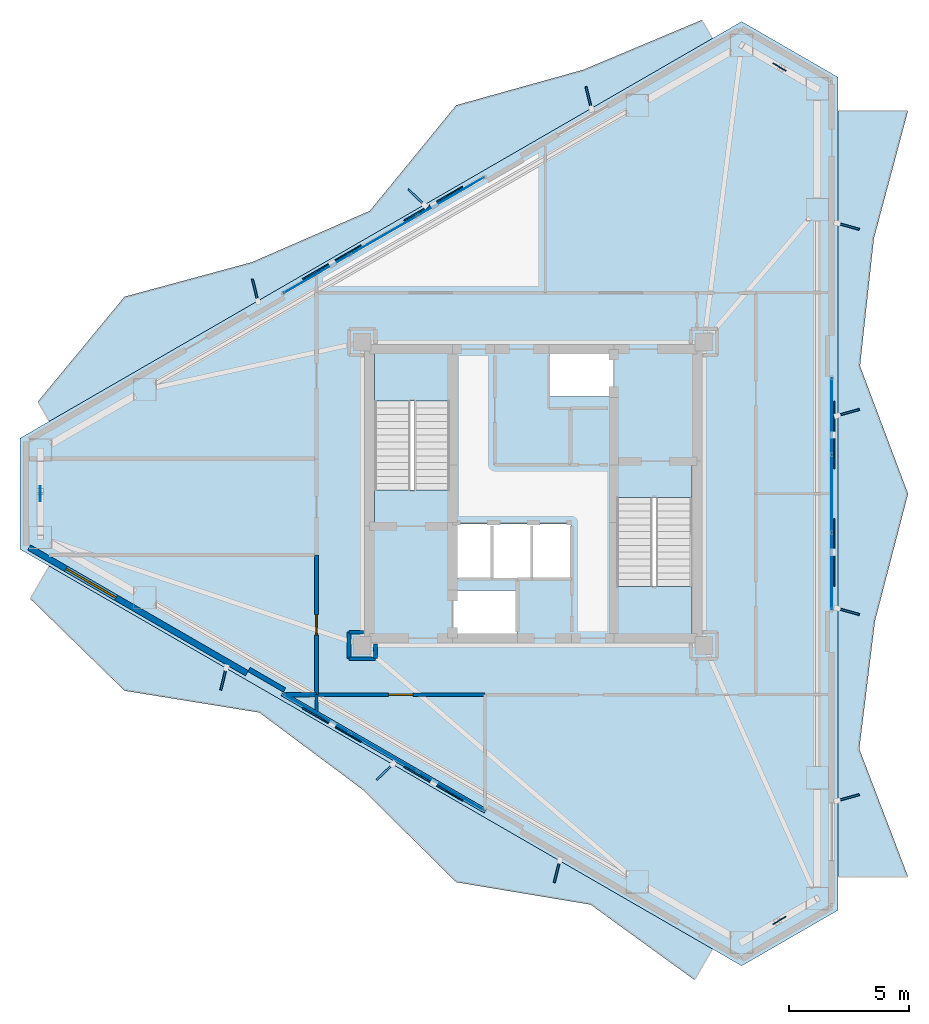
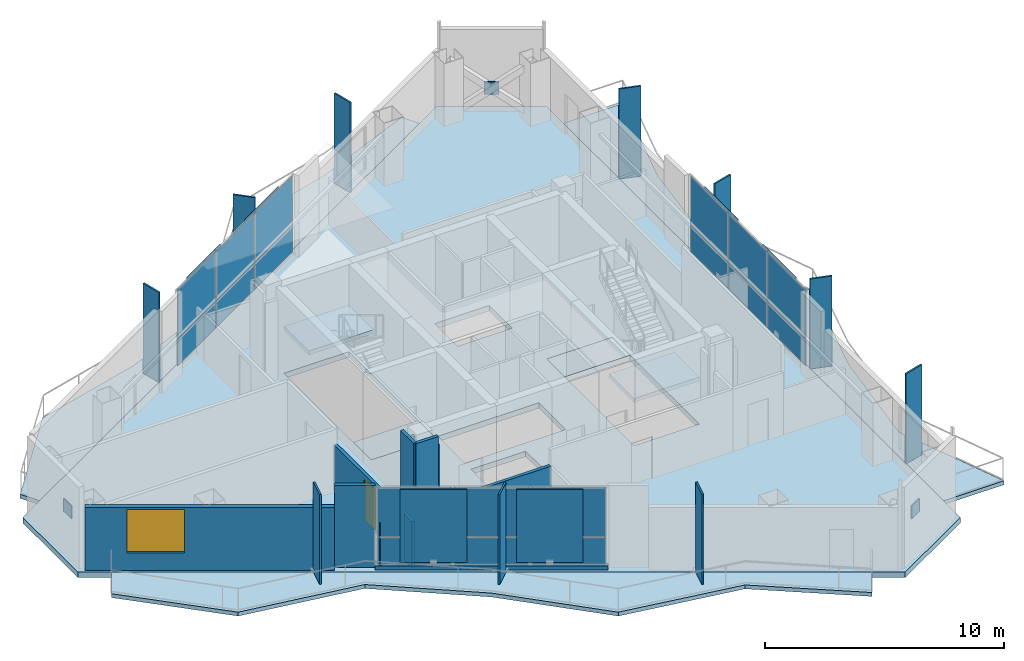
# One storey, part 12 of 18: 37 plates, 11 walls, 8 slabs, 2 doors, 1 window, 3 openings, 5 elements without a shape of their own.
"""IFC4 building model written with IfcOpenShell, lengths in metres."""

from ifc_helpers import new_model, si_unit, direction, frame, frame_2d, origin, origin_2d, place, context, subcontext, project, spatial, polyline, rectangle, outline, extrude, material, layer, layer_set, type_object, element, fill, aggregate, save


model = new_model("IFC4")

# Units and contexts
model_context = context("Model", 3, precision=1e-05, world=origin(), true_north=direction((0.0, 1.0)))
body_context = subcontext(model_context, "Body", "Model", "MODEL_VIEW")
ifc_project = project(units=[si_unit("LENGTHUNIT", "METRE"), si_unit("AREAUNIT", "SQUARE_METRE"), si_unit("VOLUMEUNIT", "CUBIC_METRE"), si_unit("PLANEANGLEUNIT", "RADIAN"), si_unit("MASSUNIT", "GRAM", prefix="KILO")], contexts=[model_context])

# Site, building, storey
site_placement = place(None, origin())
site = spatial("IfcSite", under=ifc_project, at=site_placement, CompositionType="ELEMENT")
building_placement = place(site_placement, origin())
building = spatial("IfcBuilding", under=site, at=building_placement, Name="Mersakhor Tower and Convention Hall", CompositionType="ELEMENT")
storey_placement = place(building_placement, frame((0.0, 0.0, 170.699951171875)))
storey = spatial("IfcBuildingStorey", under=building, at=storey_placement, Name="L47", CompositionType="ELEMENT", Elevation=170.699951171875)

# Curtain wall, plates
ifc_material_1 = material(Name="Dark solar low-E aluminium curtain wall", Category="aluminium")
ifc_layer_1 = layer(ifc_material_1, 0.199951171875)
ifc_layer_set_1 = layer_set([ifc_layer_1], Name="Dark solar low-E aluminium curtain wall")
curtain_wall_type = type_object("IfcCurtainWallType", Name="CW-SYS-05", PredefinedType="USERDEFINED", material=ifc_layer_set_1)
curtain_wall_1_placement = place(storey_placement, origin())
curtain_wall_1 = element("IfcCurtainWall", 1, at=curtain_wall_1_placement, inside=storey, type_object=curtain_wall_type, Name="L47 Dark-Glass Curtain Wall F1-B2", ObjectType="CURTAIN WALL", PredefinedType="USERDEFINED")
ifc_material_2 = material(Name="Dark solar double glazing", Category="glass")
ifc_layer_2 = layer(ifc_material_2, 0.035888671875)
ifc_layer_set_2 = layer_set([ifc_layer_2], Name="Dark solar double glazing")
plate_type_1 = type_object("IfcPlateType", Name="CWP-GLZ-36", PredefinedType="CURTAIN_PANEL", material=ifc_layer_set_2)
plate_1_placement = place(storey_placement, frame((20.0029296875, 35.878173828125, 0.260009765625), z_axis=(0.0, 0.0, 1.0), x_axis=(0.866026278978, 0.499998484116, 0.0)))
plate_1 = element("IfcPlate", 2, at=plate_1_placement, type_object=plate_type_1, Name="CW-05 panel 1.1", PredefinedType="CURTAIN_PANEL", context=body_context, shape_type="SweptSolid", body=[
    extrude(rectangle(XDim=3.12744140625, YDim=0.035888671875, at=origin_2d()), origin(), (0.0, 0.0, 1.0), 1.330078125),
])
plate_2_placement = place(storey_placement, frame((20.0029296875, 35.878173828125, 1.650146484375), z_axis=(0.0, 0.0, 1.0), x_axis=(0.866026278978, 0.499998484116, 0.0)))
plate_2 = element("IfcPlate", 3, at=plate_2_placement, type_object=plate_type_1, Name="CW-05 panel 1.2", PredefinedType="CURTAIN_PANEL", context=body_context, shape_type="SweptSolid", body=[
    extrude(rectangle(XDim=3.12744140625, YDim=0.035888671875, at=origin_2d()), origin(), (0.0, 0.0, 1.0), 2.47998046875),
])
plate_3_placement = place(storey_placement, frame((22.798095703125, 37.491943359375, 0.260009765625), z_axis=(0.0, 0.0, 1.0), x_axis=(0.866026278978, 0.499998484116, 0.0)))
plate_3 = element("IfcPlate", 4, at=plate_3_placement, type_object=plate_type_1, Name="CW-05 panel 2.1", PredefinedType="CURTAIN_PANEL", context=body_context, shape_type="SweptSolid", body=[
    extrude(rectangle(XDim=3.16748046875, YDim=0.035888671875, at=origin_2d()), origin(), (0.0, 0.0, 1.0), 1.330078125),
])
plate_4_placement = place(storey_placement, frame((22.798095703125, 37.491943359375, 1.650146484375), z_axis=(0.0, 0.0, 1.0), x_axis=(0.866026278978, 0.499998484116, 0.0)))
plate_4 = element("IfcPlate", 5, at=plate_4_placement, type_object=plate_type_1, Name="CW-05 panel 2.2", PredefinedType="CURTAIN_PANEL", context=body_context, shape_type="SweptSolid", body=[
    extrude(rectangle(XDim=3.16748046875, YDim=0.035888671875, at=origin_2d()), origin(), (0.0, 0.0, 1.0), 2.47998046875),
])
plate_5_placement = place(storey_placement, frame((25.59326171875, 39.105712890625, 0.260009765625), z_axis=(0.0, 0.0, 1.0), x_axis=(0.866026278978, 0.499998484116, 0.0)))
plate_5 = element("IfcPlate", 6, at=plate_5_placement, type_object=plate_type_1, Name="CW-05 panel 3.1", PredefinedType="CURTAIN_PANEL", context=body_context, shape_type="SweptSolid", body=[
    extrude(rectangle(XDim=3.12744140625, YDim=0.035888671875, at=origin_2d()), origin(), (0.0, 0.0, 1.0), 1.330078125),
])
plate_6_placement = place(storey_placement, frame((25.59326171875, 39.105712890625, 1.650146484375), z_axis=(0.0, 0.0, 1.0), x_axis=(0.866026278978, 0.499998484116, 0.0)))
plate_6 = element("IfcPlate", 7, at=plate_6_placement, type_object=plate_type_1, Name="CW-05 panel 3.2", PredefinedType="CURTAIN_PANEL", context=body_context, shape_type="SweptSolid", body=[
    extrude(rectangle(XDim=3.12744140625, YDim=0.035888671875, at=origin_2d()), origin(), (0.0, 0.0, 1.0), 2.47998046875),
])
aggregate(curtain_wall_1, [plate_1, plate_2, plate_3, plate_4, plate_5, plate_6])

curtain_wall_2_placement = place(storey_placement, origin())
curtain_wall_2 = element("IfcCurtainWall", 8, at=curtain_wall_2_placement, inside=storey, type_object=curtain_wall_type, Name="L47 Dark-Glass Curtain Wall F2-B2", ObjectType="CURTAIN WALL", PredefinedType="USERDEFINED")
plate_7_placement = place(storey_placement, frame((41.40380859375, 29.9775390625, 0.260009765625), z_axis=(0.0, 0.0, 1.0), x_axis=(0.0, -1.0, 0.0)))
plate_7 = element("IfcPlate", 9, at=plate_7_placement, type_object=plate_type_1, Name="CW-05 panel 1.1", PredefinedType="CURTAIN_PANEL", context=body_context, shape_type="SweptSolid", body=[
    extrude(rectangle(XDim=3.12744140625, YDim=0.035888671875, at=origin_2d()), origin(), (0.0, 0.0, 1.0), 1.330078125),
])
plate_8_placement = place(storey_placement, frame((41.40380859375, 29.9775390625, 1.650146484375), z_axis=(0.0, 0.0, 1.0), x_axis=(0.0, -1.0, 0.0)))
plate_8 = element("IfcPlate", 10, at=plate_8_placement, type_object=plate_type_1, Name="CW-05 panel 1.2", PredefinedType="CURTAIN_PANEL", context=body_context, shape_type="SweptSolid", body=[
    extrude(rectangle(XDim=3.12744140625, YDim=0.035888671875, at=origin_2d()), origin(), (0.0, 0.0, 1.0), 2.47998046875),
])
plate_9_placement = place(storey_placement, frame((41.40380859375, 26.75, 0.260009765625), z_axis=(0.0, 0.0, 1.0), x_axis=(0.0, -1.0, 0.0)))
plate_9 = element("IfcPlate", 11, at=plate_9_placement, type_object=plate_type_1, Name="CW-05 panel 2.1", PredefinedType="CURTAIN_PANEL", context=body_context, shape_type="SweptSolid", body=[
    extrude(rectangle(XDim=3.16748046875, YDim=0.035888671875, at=origin_2d()), origin(), (0.0, 0.0, 1.0), 1.330078125),
])
plate_10_placement = place(storey_placement, frame((41.40380859375, 26.75, 1.650146484375), z_axis=(0.0, 0.0, 1.0), x_axis=(0.0, -1.0, 0.0)))
plate_10 = element("IfcPlate", 12, at=plate_10_placement, type_object=plate_type_1, Name="CW-05 panel 2.2", PredefinedType="CURTAIN_PANEL", context=body_context, shape_type="SweptSolid", body=[
    extrude(rectangle(XDim=3.16748046875, YDim=0.035888671875, at=origin_2d()), origin(), (0.0, 0.0, 1.0), 2.47998046875),
])
plate_11_placement = place(storey_placement, frame((41.40380859375, 23.5224609375, 0.260009765625), z_axis=(0.0, 0.0, 1.0), x_axis=(0.0, -1.0, 0.0)))
plate_11 = element("IfcPlate", 13, at=plate_11_placement, type_object=plate_type_1, Name="CW-05 panel 3.1", PredefinedType="CURTAIN_PANEL", context=body_context, shape_type="SweptSolid", body=[
    extrude(rectangle(XDim=3.12744140625, YDim=0.035888671875, at=origin_2d()), origin(), (0.0, 0.0, 1.0), 1.330078125),
])
plate_12_placement = place(storey_placement, frame((41.40380859375, 23.5224609375, 1.650146484375), z_axis=(0.0, 0.0, 1.0), x_axis=(0.0, -1.0, 0.0)))
plate_12 = element("IfcPlate", 14, at=plate_12_placement, type_object=plate_type_1, Name="CW-05 panel 3.2", PredefinedType="CURTAIN_PANEL", context=body_context, shape_type="SweptSolid", body=[
    extrude(rectangle(XDim=3.12744140625, YDim=0.035888671875, at=origin_2d()), origin(), (0.0, 0.0, 1.0), 2.47998046875),
])
aggregate(curtain_wall_2, [plate_7, plate_8, plate_9, plate_10, plate_11, plate_12])

curtain_wall_3_placement = place(storey_placement, origin())
curtain_wall_3 = element("IfcCurtainWall", 15, at=curtain_wall_3_placement, inside=storey, type_object=curtain_wall_type, Name="L47 Dark-Glass Curtain Wall F3-B2", ObjectType="CURTAIN WALL", PredefinedType="USERDEFINED")
plate_13_placement = place(storey_placement, frame((25.59326171875, 14.394287109375, 0.260009765625), z_axis=(0.0, 0.0, 1.0), x_axis=(-0.866026278978, 0.499998484116, 0.0)))
plate_13 = element("IfcPlate", 16, at=plate_13_placement, type_object=plate_type_1, Name="CW-05 panel 1.1", PredefinedType="CURTAIN_PANEL", context=body_context, shape_type="SweptSolid", body=[
    extrude(rectangle(XDim=3.12744140625, YDim=0.035888671875, at=origin_2d()), origin(), (0.0, 0.0, 1.0), 1.330078125),
])
plate_14_placement = place(storey_placement, frame((25.59326171875, 14.394287109375, 1.650146484375), z_axis=(0.0, 0.0, 1.0), x_axis=(-0.866026278978, 0.499998484116, 0.0)))
plate_14 = element("IfcPlate", 17, at=plate_14_placement, type_object=plate_type_1, Name="CW-05 panel 1.2", PredefinedType="CURTAIN_PANEL", context=body_context, shape_type="SweptSolid", body=[
    extrude(rectangle(XDim=3.12744140625, YDim=0.035888671875, at=origin_2d()), origin(), (0.0, 0.0, 1.0), 2.47998046875),
])
plate_15_placement = place(storey_placement, frame((22.798095703125, 16.008056640625, 0.260009765625), z_axis=(0.0, 0.0, 1.0), x_axis=(-0.866026278978, 0.499998484116, 0.0)))
plate_15 = element("IfcPlate", 18, at=plate_15_placement, type_object=plate_type_1, Name="CW-05 panel 2.1", PredefinedType="CURTAIN_PANEL", context=body_context, shape_type="SweptSolid", body=[
    extrude(rectangle(XDim=3.16748046875, YDim=0.035888671875, at=origin_2d()), origin(), (0.0, 0.0, 1.0), 1.330078125),
])
plate_16_placement = place(storey_placement, frame((22.798095703125, 16.008056640625, 1.650146484375), z_axis=(0.0, 0.0, 1.0), x_axis=(-0.866026278978, 0.499998484116, 0.0)))
plate_16 = element("IfcPlate", 19, at=plate_16_placement, type_object=plate_type_1, Name="CW-05 panel 2.2", PredefinedType="CURTAIN_PANEL", context=body_context, shape_type="SweptSolid", body=[
    extrude(rectangle(XDim=3.16748046875, YDim=0.035888671875, at=origin_2d()), origin(), (0.0, 0.0, 1.0), 2.47998046875),
])
plate_17_placement = place(storey_placement, frame((20.0029296875, 17.621826171875, 0.260009765625), z_axis=(0.0, 0.0, 1.0), x_axis=(-0.866026278978, 0.499998484116, 0.0)))
plate_17 = element("IfcPlate", 20, at=plate_17_placement, type_object=plate_type_1, Name="CW-05 panel 3.1", PredefinedType="CURTAIN_PANEL", context=body_context, shape_type="SweptSolid", body=[
    extrude(rectangle(XDim=3.12744140625, YDim=0.035888671875, at=origin_2d()), origin(), (0.0, 0.0, 1.0), 1.330078125),
])
plate_18_placement = place(storey_placement, frame((20.0029296875, 17.621826171875, 1.650146484375), z_axis=(0.0, 0.0, 1.0), x_axis=(-0.866026278978, 0.499998484116, 0.0)))
plate_18 = element("IfcPlate", 21, at=plate_18_placement, type_object=plate_type_1, Name="CW-05 panel 3.2", PredefinedType="CURTAIN_PANEL", context=body_context, shape_type="SweptSolid", body=[
    extrude(rectangle(XDim=3.12744140625, YDim=0.035888671875, at=origin_2d()), origin(), (0.0, 0.0, 1.0), 2.47998046875),
])
aggregate(curtain_wall_3, [plate_13, plate_14, plate_15, plate_16, plate_17, plate_18])

# Plates
ifc_material_3 = material(Name="Ceramic-clad aluminium Zone 4 terracotta-coral", Category="masonry")
ifc_material_4 = material(Name="Ceramic-clad aluminium Zone 1 cobalt-slate", Category="masonry")
ifc_layer_3 = layer(ifc_material_4, 0.080078125)
ifc_layer_set_3 = layer_set([ifc_layer_3], Name="Ceramic-clad aluminium Zone 1 cobalt-slate")
plate_type_2 = type_object("IfcPlateType", Name="PL-FIN-80", PredefinedType="USERDEFINED", material=ifc_layer_set_3)
for number, where, z_axis, x_axis, name in (
    (22, (17.45166015625, 35.197998046875, 0.0), (0.0, 0.0, 1.0), (-0.2419218956, 0.970295726276, 0.0), "L47 Zone 4 Coloured Brise-Soleil Fin F1-1"),
    (23, (24.153076171875, 39.067138671875, 0.0), (0.0, 0.0, 1.0), (-0.719339800339, 0.694658370459, 0.0), "L47 Zone 4 Coloured Brise-Soleil Fin F1-2"),
    (24, (31.30810546875, 43.197998046875, 0.0), (0.0, 0.0, 1.0), (-0.2419218956, 0.970295726276, 0.0), "L47 Zone 4 Coloured Brise-Soleil Fin F1-3"),
    (25, (42.09033203125, 37.8603515625, 0.0), (0.0, 0.0, 1.0), (0.961261695938, -0.275637355817, 0.0), "L47 Zone 4 Coloured Brise-Soleil Fin F2-1"),
    (26, (42.09033203125, 30.122314453125, 0.0), (0.0, 0.0, 1.0), (0.961261695938, 0.275637355817, 0.0), "L47 Zone 4 Coloured Brise-Soleil Fin F2-2"),
    (27, (42.09033203125, 21.8603515625, 0.0), (0.0, 0.0, 1.0), (0.961261695938, -0.275637355817, 0.0), "L47 Zone 4 Coloured Brise-Soleil Fin F2-3"),
    (28, (42.09033203125, 14.122314453125, 0.0), (0.0, 0.0, 1.0), (0.961261695938, 0.275637355817, 0.0), "L47 Zone 4 Coloured Brise-Soleil Fin F2-4"),
    (29, (29.994140625, 11.060546875, 0.0), (0.0, 0.0, 1.0), (-0.2419218956, -0.970295726276, 0.0), "L47 Zone 4 Coloured Brise-Soleil Fin F3-1"),
    (30, (22.839111328125, 15.19140625, 0.0), (0.0, 0.0, 1.0), (-0.719339800339, -0.694658370459, 0.0), "L47 Zone 4 Coloured Brise-Soleil Fin F3-2"),
    (31, (16.1376953125, 19.060546875, 0.0), (0.0, 0.0, 1.0), (-0.2419218956, -0.970295726276, 0.0), "L47 Zone 4 Coloured Brise-Soleil Fin F3-3"),
):
    element("IfcPlate", number, at=place(storey_placement, frame(where, z_axis=z_axis, x_axis=x_axis)), inside=storey, type_object=plate_type_2, material=ifc_material_3, Name=name, ObjectType="FIN", PredefinedType="USERDEFINED", context=body_context, shape_type="SweptSolid", body=[
        extrude(rectangle(XDim=0.949951171875, YDim=0.080078125, at=origin_2d()), origin(), (0.0, 0.0, 1.0), 4.60009765625),
    ])
ifc_material_5 = material(Name="Steel S460", Category="steel")
ifc_layer_4 = layer(ifc_material_5, 0.0400390625)
ifc_layer_set_4 = layer_set([ifc_layer_4], Name="Steel S460")
plate_type_3 = type_object("IfcPlateType", Name="PL-GUSSET-40", PredefinedType="SHEET", material=ifc_layer_set_4)
for number, where, z_axis, x_axis, name in (
    (32, (39.233154296875, 44.47412109375, 1.22998046875), (0.0, 0.0, 1.0), (-0.866025403784, 0.5, 0.0), "L47 X-Brace Crossing Gusset Node Plate"),
    (33, (39.233154296875, 9.02587890625, 1.22998046875), (0.0, 0.0, 1.0), (0.866025403784, 0.5, 0.0), "L47 X-Brace Crossing Gusset Node Plate"),
    (34, (8.533935546875, 26.75, 1.22998046875), (0.0, 0.0, 1.0), (0.0, -1.0, 0.0), "L47 X-Brace Crossing Gusset Node Plate"),
):
    element("IfcPlate", number, at=place(storey_placement, frame(where, z_axis=z_axis, x_axis=x_axis)), inside=storey, type_object=plate_type_3, Name=name, PredefinedType="SHEET", context=body_context, shape_type="SweptSolid", body=[
        extrude(rectangle(XDim=0.639892578125, YDim=0.0400390625, at=origin_2d()), origin(), (0.0, 0.0, 1.0), 0.639892578125),
    ])
ifc_material_6 = material(Name="Perforated ceramic cobogo solar screen", Category="aluminium")
ifc_layer_5 = layer(ifc_material_6, 0.055908203125)
ifc_layer_set_5 = layer_set([ifc_layer_5], Name="Perforated ceramic cobogo solar screen")
plate_type_4 = type_object("IfcPlateType", Name="PL-SCR-56", PredefinedType="USERDEFINED", material=ifc_layer_set_5)
for number, where, z_axis, x_axis, name in (
    (35, (20.639892578125, 36.359130859375, 0.39990234375), (0.0, 0.0, 1.0), (0.866025403784, 0.5, 0.0), "L47 Perforated Ceramic Solar Screen F1-1"),
    (36, (24.8583984375, 38.794677734375, 0.39990234375), (0.0, 0.0, 1.0), (0.866025403784, 0.5, 0.0), "L47 Perforated Ceramic Solar Screen F1-2"),
    (37, (41.501708984375, 29.185546875, 0.39990234375), (0.0, 0.0, 1.0), (0.0, -1.0, 0.0), "L47 Perforated Ceramic Solar Screen F2-1"),
    (38, (41.501708984375, 24.314453125, 0.39990234375), (0.0, 0.0, 1.0), (0.0, -1.0, 0.0), "L47 Perforated Ceramic Solar Screen F2-2"),
    (39, (24.8583984375, 14.705322265625, 0.39990234375), (0.0, 0.0, 1.0), (-0.866025403784, 0.5, 0.0), "L47 Perforated Ceramic Solar Screen F3-1"),
    (40, (20.639892578125, 17.140869140625, 0.39990234375), (0.0, 0.0, 1.0), (-0.866025403784, 0.5, 0.0), "L47 Perforated Ceramic Solar Screen F3-2"),
):
    element("IfcPlate", number, at=place(storey_placement, frame(where, z_axis=z_axis, x_axis=x_axis)), inside=storey, type_object=plate_type_4, Name=name, ObjectType="SCREEN", PredefinedType="USERDEFINED", context=body_context, shape_type="SweptSolid", body=[
        extrude(rectangle(XDim=2.800048828125, YDim=0.055908203125, at=origin_2d()), origin(), (0.0, 0.0, 1.0), 3.739990234375),
    ])

# Slabs
ifc_material_7 = material(Name="Concrete C45/55", Category="concrete")
ifc_layer_6 = layer(ifc_material_7, 0.199951171875)
ifc_layer_set_6 = layer_set([ifc_layer_6], Name="Concrete C45/55")
slab_type_1 = type_object("IfcSlabType", Name="SL-BAL-200", PredefinedType="FLOOR", material=ifc_layer_set_6)
slab_1_placement = place(storey_placement, frame((0.0, 0.0, -0.199951171875)))
element("IfcSlab", 41, at=slab_1_placement, inside=storey, type_object=slab_type_1, Name="L47 Sinusoidal Balcony Slab Face 1", PredefinedType="FLOOR", context=body_context, shape_type="SweptSolid", body=[
    extrude(outline(polyline([(8.896240234375, 29.75439453125), (36.449951171875, 45.66259765625), (36.00732421875, 46.4287109375), (31.078857421875, 44.360107421875), (25.805419921875, 42.888671875), (22.216064453125, 38.5), (17.3232421875, 36.369384765625), (12.028564453125, 34.9345703125), (8.424072265625, 30.572509765625), (8.896240234375, 29.75439453125)])), origin(), (0.0, 0.0, 1.0), 0.199951171875),
])
slab_2_placement = place(storey_placement, frame((0.0, 0.0, -0.199951171875)))
element("IfcSlab", 42, at=slab_2_placement, inside=storey, type_object=slab_type_1, Name="L47 Sinusoidal Balcony Slab Face 2", PredefinedType="FLOOR", context=body_context, shape_type="SweptSolid", body=[
    extrude(outline(polyline([(41.65380859375, 42.657958984375), (41.65380859375, 10.842041015625), (44.57373046875, 10.842041015625), (42.54833984375, 16.144775390625), (43.197265625, 21.447265625), (44.57373046875, 26.75), (42.577880859375, 32.052734375), (43.15478515625, 37.355224609375), (44.57373046875, 42.657958984375), (41.65380859375, 42.657958984375)])), origin(), (0.0, 0.0, 1.0), 0.199951171875),
])
slab_3_placement = place(storey_placement, frame((0.0, 0.0, -0.199951171875)))
element("IfcSlab", 43, at=slab_3_placement, inside=storey, type_object=slab_type_1, Name="L47 Sinusoidal Balcony Slab Face 3", PredefinedType="FLOOR", context=body_context, shape_type="SweptSolid", body=[
    extrude(outline(polyline([(36.449951171875, 7.83740234375), (8.896240234375, 23.74560546875), (8.1103515625, 22.384033203125), (12.028564453125, 18.5654296875), (17.628662109375, 17.659912109375), (21.908447265625, 14.46728515625), (25.805419921875, 10.611328125), (31.390380859375, 9.6796875), (35.70654296875, 6.5498046875), (36.449951171875, 7.83740234375)])), origin(), (0.0, 0.0, 1.0), 0.199951171875),
])
ifc_material_8 = material(Name="Concrete C45/55", Category="concrete")
ifc_layer_7 = layer(ifc_material_8, 0.280029296875)
ifc_layer_set_7 = layer_set([ifc_layer_7], Name="Concrete C45/55")
slab_type_2 = type_object("IfcSlabType", Name="SL-FLR-280", PredefinedType="FLOOR", material=ifc_layer_set_7)
slab_4_placement = place(storey_placement, frame((0.0, 0.0, -0.280029296875)))
element("IfcSlab", 44, at=slab_4_placement, inside=storey, type_object=slab_type_2, Name="L47 ST-1 Structural Stair Floor Landing", PredefinedType="LANDING", context=body_context, shape_type="SweptSolid", body=[
    extrude(outline(polyline([(25.550048828125, 25.39990234375), (25.550048828125, 26.89990234375), (22.39990234375, 26.89990234375), (22.39990234375, 25.39990234375), (25.550048828125, 25.39990234375)])), origin(), (0.0, 0.0, 1.0), 0.280029296875),
])
slab_5_placement = place(storey_placement, frame((0.0, 0.0, -0.280029296875)))
element("IfcSlab", 45, at=slab_5_placement, inside=storey, type_object=slab_type_2, Name="L47 ST-2 Structural Stair Floor Landing", PredefinedType="LANDING", context=body_context, shape_type="SweptSolid", body=[
    extrude(outline(polyline([(32.449951171875, 28.10009765625), (32.449951171875, 26.60009765625), (35.60009765625, 26.60009765625), (35.60009765625, 28.10009765625), (32.449951171875, 28.10009765625)])), origin(), (0.0, 0.0, 1.0), 0.280029296875),
])
slab_6_placement = place(storey_placement, frame((0.0, 0.0, -0.280029296875)))
element("IfcSlab", 46, at=slab_6_placement, inside=storey, type_object=slab_type_2, Name="Tower L47 Structural Floor Slab", PredefinedType="FLOOR", context=body_context, shape_type="SweptSolid", body=[
    extrude(outline(polyline([(7.683837890625, 29.054443359375), (37.662353515625, 46.362548828125), (41.65380859375, 44.05810546875), (41.65380859375, 9.44189453125), (37.662353515625, 7.137451171875), (7.683837890625, 24.445556640625), (7.683837890625, 29.054443359375)]), holes=[polyline([(25.550048828125, 25.39990234375), (25.550048828125, 32.699951171875), (22.39990234375, 32.699951171875), (22.39990234375, 25.39990234375), (25.550048828125, 25.39990234375)]), polyline([(32.449951171875, 28.10009765625), (32.449951171875, 20.800048828125), (35.60009765625, 20.800048828125), (35.60009765625, 28.10009765625), (32.449951171875, 28.10009765625)]), polyline([(25.679931640625, 20.820068359375), (25.679931640625, 22.719970703125), (28.320068359375, 22.719970703125), (28.320068359375, 20.820068359375), (25.679931640625, 20.820068359375)]), polyline([(29.679931640625, 30.780029296875), (29.679931640625, 32.679931640625), (32.320068359375, 32.679931640625), (32.320068359375, 30.780029296875), (29.679931640625, 30.780029296875)]), polyline([(25.679931640625, 23.25), (25.679931640625, 25.5), (30.570068359375, 25.5), (30.570068359375, 23.25), (25.679931640625, 23.25)])]), origin(), (0.0, 0.0, 1.0), 0.280029296875),
])

# Stair, slab
ifc_material_9 = material(Name="Concrete C45/55", Category="concrete")
stair_type = type_object("IfcStairType", Name="ST-TWR-28R", PredefinedType="HALF_TURN_STAIR", material=ifc_material_9)
stair_1_placement = place(storey_placement, origin())
stair_1 = element("IfcStair", 47, at=stair_1_placement, inside=storey, type_object=stair_type, Name="L47 Tower Protected Exit Stair ST-1", PredefinedType="HALF_TURN_STAIR")
ifc_material_10 = material(Name="Concrete C45/55", Category="concrete")
ifc_layer_8 = layer(ifc_material_10, 0.199951171875)
ifc_layer_set_8 = layer_set([ifc_layer_8], Name="Concrete C45/55")
slab_type_3 = type_object("IfcSlabType", Name="SL-LAND-200", PredefinedType="LANDING", material=ifc_layer_set_8)
slab_7_placement = place(storey_placement, frame((0.0, 0.0, 2.199951171875)))
slab_7 = element("IfcSlab", 48, at=slab_7_placement, type_object=slab_type_3, Name="ST-1 landing 1", PredefinedType="LANDING", context=body_context, shape_type="SweptSolid", body=[
    extrude(outline(polyline([(25.550048828125, 30.60498046875), (25.550048828125, 32.699951171875), (22.39990234375, 32.699951171875), (22.39990234375, 30.60498046875), (25.550048828125, 30.60498046875)])), origin(), (0.0, 0.0, 1.0), 0.2001953125),
])
aggregate(stair_1, [slab_7])

stair_2_placement = place(storey_placement, origin())
stair_2 = element("IfcStair", 49, at=stair_2_placement, inside=storey, type_object=stair_type, Name="L47 Tower Protected Exit Stair ST-2", PredefinedType="HALF_TURN_STAIR")
slab_8_placement = place(storey_placement, frame((0.0, 0.0, 2.199951171875)))
slab_8 = element("IfcSlab", 50, at=slab_8_placement, type_object=slab_type_3, Name="ST-2 landing 1", PredefinedType="LANDING", context=body_context, shape_type="SweptSolid", body=[
    extrude(outline(polyline([(32.449951171875, 22.89501953125), (32.449951171875, 20.800048828125), (35.60009765625, 20.800048828125), (35.60009765625, 22.89501953125), (32.449951171875, 22.89501953125)])), origin(), (0.0, 0.0, 1.0), 0.2001953125),
])
aggregate(stair_2, [slab_8])

# Wall, opening, window
ifc_material_11 = material(Name="Precast concrete C40/50", Category="concrete")
ifc_layer_9 = layer(ifc_material_11, 0.25)
ifc_layer_set_9 = layer_set([ifc_layer_9], Name="Precast concrete C40/50")
wall_type_1 = type_object("IfcWallType", Name="WL-EXT-250", PredefinedType="SOLIDWALL", material=ifc_layer_set_9)
wall_1_placement = place(storey_placement, frame((17.107177734375, 19.293701171875, 0.0), z_axis=(0.0, 0.0, 1.0), x_axis=(-0.866027516296, 0.499996341005, 0.0)))
wall_1 = element("IfcWall", 51, at=wall_1_placement, inside=storey, type_object=wall_type_1, Name="L47 Exterior Facade Wall F3-B3", PredefinedType="SOLIDWALL", context=body_context, shape_type="SweptSolid", body=[
    extrude(rectangle(XDim=10.4423828125, YDim=0.25, at=frame_2d((5.22119140625, 0.0))), origin(), (0.0, 0.0, 1.0), 3.205078125),
])
opening_1_placement = place(wall_1_placement, frame((6.27294921875, 0.0, 0.89990234375)))
opening_1 = element("IfcOpeningElement", 52, at=opening_1_placement, cuts=wall_1, Name="Opening W-09", PredefinedType="OPENING", context=body_context, shape_type="SweptSolid", body=[
    extrude(rectangle(XDim=2.39990234375, YDim=2.199951171875, at=frame_2d((1.199951171875, 1.10009765625))), frame((0.0, 0.135009765625, 0.0), z_axis=(0.0, -1.0, 0.0), x_axis=(1.0, 0.0, 0.0)), (0.0, 0.0, 1.0), 0.27001953125),
])
ifc_material_12 = material(Name="Dark solar low-E glazed aluminium window", Category="aluminium")
window_type = type_object("IfcWindowType", Name="WN-COM-240x220", PartitioningType="SINGLE_PANEL", PredefinedType="WINDOW", material=ifc_material_12)
window_placement = place(opening_1_placement, origin())
window = element("IfcWindow", 53, at=window_placement, inside=storey, type_object=window_type, Name="L47 Facade Punched Window F3-B3", OverallHeight=2.199951171875, OverallWidth=2.39990234375, PartitioningType="SINGLE_PANEL", PredefinedType="WINDOW", context=body_context, shape_type="SweptSolid", body=[
    extrude(rectangle(XDim=2.39990234375, YDim=2.199951171875, at=frame_2d((1.199951171875, 1.10009765625))), frame((0.0, 0.030029296875, 0.0), z_axis=(0.0, -1.0, 0.0), x_axis=(1.0, 0.0, 0.0)), (0.0, 0.0, 1.0), 0.06005859375),
])
fill(opening_1, window)

# Walls
ifc_material_13 = material(Name="Precast concrete C40/50", Category="concrete")
ifc_layer_10 = layer(ifc_material_13, 0.199951171875)
ifc_layer_set_10 = layer_set([ifc_layer_10], Name="Precast concrete C40/50")
wall_type_2 = type_object("IfcWallType", Name="WL-PAR-200", PredefinedType="PARAPET", material=ifc_layer_set_10)
wall_2_placement = place(storey_placement, frame((27.0166015625, 13.572509765625, 0.0), z_axis=(0.0, 0.0, 1.0), x_axis=(-0.866026169916, 0.499998673018, 0.0)))
element("IfcWall", 54, at=wall_2_placement, inside=storey, type_object=wall_type_2, Name="L47 Curtain Wall Upstand Sill F3-B2", PredefinedType="PARAPET", context=body_context, shape_type="SweptSolid", body=[
    extrude(rectangle(XDim=9.7421875, YDim=0.199951171875, at=frame_2d((4.87109375, 0.0))), origin(), (0.0, 0.0, 1.0), 0.199951171875),
])
wall_3_placement = place(storey_placement, frame((18.66943359375, 18.599609375, 0.0), z_axis=(0.0, 0.0, 1.0), x_axis=(-0.86605165483, 0.499954529098, 0.0)))
element("IfcWall", 55, at=wall_3_placement, inside=storey, type_object=wall_type_2, Name="L47 Column Pier Cladding Wall F3-C2", PredefinedType="PARAPET", context=body_context, shape_type="SweptSolid", body=[
    extrude(rectangle(XDim=1.699951171875, YDim=0.199951171875, at=frame_2d((0.85009765625, 0.0))), origin(), (0.0, 0.0, 1.0), 4.18994140625),
])
ifc_material_14 = material(Name="Moisture-resistant acoustic drywall studwork", Category="other")
ifc_layer_11 = layer(ifc_material_14, 0.175048828125)
ifc_layer_set_11 = layer_set([ifc_layer_11], Name="Moisture-resistant acoustic drywall studwork")
wall_type_3 = type_object("IfcWallType", Name="WL-PLM-175", PredefinedType="PLUMBINGWALL", material=ifc_layer_set_11)
wall_4_placement = place(storey_placement, frame((20.0, 18.39990234375, 0.0), z_axis=(0.0, 0.0, 1.0), x_axis=(-1.0, 0.0, 0.0)))
element("IfcWall", 56, at=wall_4_placement, inside=storey, type_object=wall_type_3, Name="L47 Interior Partition Wall P-049", PredefinedType="PLUMBINGWALL", context=body_context, shape_type="SweptSolid", body=[
    extrude(rectangle(XDim=1.2685546875, YDim=0.175048828125, at=frame_2d((0.63427734375, 0.0))), origin(), (0.0, 0.0, 1.0), 2.364990234375),
])
ifc_material_15 = material(Name="Gypsum board acoustic partition", Category="other")
ifc_layer_12 = layer(ifc_material_15, 0.125)
ifc_layer_set_12 = layer_set([ifc_layer_12], Name="Gypsum board acoustic partition")
wall_type_4 = type_object("IfcWallType", Name="WL-PRT-125", PredefinedType="PARTITIONING", material=ifc_layer_set_12)
wall_5_placement = place(storey_placement, frame((20.0, 17.701904296875, 0.0), z_axis=(0.0, 0.0, 1.0), x_axis=(0.0, 1.0, 0.0)))
element("IfcWall", 57, at=wall_5_placement, inside=storey, type_object=wall_type_4, Name="L47 Interior Partition Wall P-061", PredefinedType="PARTITIONING", context=body_context, shape_type="SweptSolid", body=[
    extrude(rectangle(XDim=0.697998046875, YDim=0.125, at=frame_2d((0.34912109375, 0.0))), origin(), (0.0, 0.0, 1.0), 2.364990234375),
])
ifc_material_16 = material(Name="Fire-rated gypsum board stud partition", Category="other")
ifc_layer_13 = layer(ifc_material_16, 0.14990234375)
ifc_layer_set_13 = layer_set([ifc_layer_13], Name="Fire-rated gypsum board stud partition")
wall_type_5 = type_object("IfcWallType", Name="WL-PRT-150", PredefinedType="PARTITIONING", material=ifc_layer_set_13)
wall_6_placement = place(storey_placement, frame((21.35009765625, 19.89990234375, 0.0), z_axis=(0.0, 0.0, 1.0), x_axis=(1.0, 0.0, 0.0)))
element("IfcWall", 58, at=wall_6_placement, inside=storey, type_object=wall_type_5, Name="L47 Interior Partition Wall P-016", PredefinedType="PARTITIONING", context=body_context, shape_type="SweptSolid", body=[
    extrude(rectangle(XDim=1.099853515625, YDim=0.14990234375, at=frame_2d((0.5498046875, 0.0))), origin(), (0.0, 0.0, 1.0), 4.570068359375),
])
wall_7_placement = place(storey_placement, frame((22.449951171875, 19.89990234375, 0.0), z_axis=(0.0, 0.0, 1.0), x_axis=(0.0, 1.0, 0.0)))
element("IfcWall", 59, at=wall_7_placement, inside=storey, type_object=wall_type_5, Name="L47 Interior Partition Wall P-017", PredefinedType="PARTITIONING", context=body_context, shape_type="SweptSolid", body=[
    extrude(rectangle(XDim=0.60009765625, YDim=0.14990234375, at=frame_2d((0.300048828125, 0.0))), origin(), (0.0, 0.0, 1.0), 4.094970703125),
])

# Wall, opening, door
wall_8_placement = place(storey_placement, frame((27.0, 18.39990234375, 0.0), z_axis=(0.0, 0.0, 1.0), x_axis=(-1.0, 0.0, 0.0)))
wall_8 = element("IfcWall", 60, at=wall_8_placement, inside=storey, type_object=wall_type_5, Name="L47 Interior Partition Wall P-022", PredefinedType="PARTITIONING", context=body_context, shape_type="SweptSolid", body=[
    extrude(rectangle(XDim=7.0, YDim=0.14990234375, at=frame_2d((3.5, 0.0))), origin(), (0.0, 0.0, 1.0), 2.364990234375),
])
opening_2_placement = place(wall_8_placement, frame((3.0, 0.0, 0.0)))
opening_2 = element("IfcOpeningElement", 61, at=opening_2_placement, cuts=wall_8, Name="Opening FD-01", PredefinedType="OPENING", context=body_context, shape_type="SweptSolid", body=[
    extrude(rectangle(XDim=1.0, YDim=2.14990234375, at=frame_2d((0.5, 1.074951171875))), frame((0.0, 0.0849609375, 0.0), z_axis=(0.0, -1.0, 0.0), x_axis=(1.0, 0.0, 0.0)), (0.0, 0.0, 1.0), 0.169921875),
])
ifc_material_17 = material(Name="Fire-rated hardwood leaf and painted steel frame", Category="steel")
door_type_1 = type_object("IfcDoorType", Name="DR-INT-FLT-100x215", OperationType="NOTDEFINED", PredefinedType="DOOR", material=ifc_material_17)
door_1_placement = place(opening_2_placement, origin())
door_1 = element("IfcDoor", 62, at=door_1_placement, inside=storey, type_object=door_type_1, Name="L47 L47 Sky-Lobby Corridor to Homework Study Room Door", OperationType="SINGLE_SWING_RIGHT", OverallHeight=2.14990234375, OverallWidth=1.0, PredefinedType="DOOR", context=body_context, shape_type="SweptSolid", body=[
    extrude(rectangle(XDim=1.0, YDim=2.14990234375, at=frame_2d((0.5, 1.074951171875))), frame((0.0, 0.02490234375, 0.0), z_axis=(0.0, -1.0, 0.0), x_axis=(1.0, 0.0, 0.0)), (0.0, 0.0, 1.0), 0.050048828125),
])
fill(opening_2, door_1)

wall_9_placement = place(storey_placement, frame((20.0, 18.39990234375, 0.0), z_axis=(0.0, 0.0, 1.0), x_axis=(0.0, 1.0, 0.0)))
wall_9 = element("IfcWall", 63, at=wall_9_placement, inside=storey, type_object=wall_type_5, Name="L47 Interior Partition Wall P-023", PredefinedType="PARTITIONING", context=body_context, shape_type="SweptSolid", body=[
    extrude(rectangle(XDim=5.800048828125, YDim=0.14990234375, at=frame_2d((2.89990234375, 0.0))), origin(), (0.0, 0.0, 1.0), 2.364990234375),
])
opening_3_placement = place(wall_9_placement, frame((2.47509765625, 0.0, 0.0)))
opening_3 = element("IfcOpeningElement", 64, at=opening_3_placement, cuts=wall_9, Name="Opening SVD-01", PredefinedType="OPENING", context=body_context, shape_type="SweptSolid", body=[
    extrude(rectangle(XDim=0.85009765625, YDim=2.10009765625, at=frame_2d((0.425048828125, 1.050048828125))), frame((0.0, 0.0849609375, 0.0), z_axis=(0.0, -1.0, 0.0), x_axis=(1.0, 0.0, 0.0)), (0.0, 0.0, 1.0), 0.169921875),
])
ifc_material_18 = material(Name="Fire-rated hardwood leaf and painted steel frame", Category="steel")
door_type_2 = type_object("IfcDoorType", Name="DR-INT-SVC-085x210", OperationType="NOTDEFINED", PredefinedType="DOOR", material=ifc_material_18)
door_2_placement = place(opening_3_placement, origin())
door_2 = element("IfcDoor", 65, at=door_2_placement, inside=storey, type_object=door_type_2, Name="L47 L47 Sky-Lobby Corridor to Level 47 Public Restrooms Door", OperationType="SINGLE_SWING_LEFT", OverallHeight=2.10009765625, OverallWidth=0.85009765625, PredefinedType="DOOR", context=body_context, shape_type="SweptSolid", body=[
    extrude(rectangle(XDim=0.85009765625, YDim=2.10009765625, at=frame_2d((0.425048828125, 1.050048828125))), frame((0.0, 0.02490234375, 0.0), z_axis=(0.0, -1.0, 0.0), x_axis=(1.0, 0.0, 0.0)), (0.0, 0.0, 1.0), 0.050048828125),
])
fill(opening_3, door_2)

# Walls
wall_10_placement = place(storey_placement, frame((21.949951171875, 21.0, 0.0), z_axis=(0.0, 0.0, 1.0), x_axis=(-1.0, 0.0, 0.0)))
element("IfcWall", 66, at=wall_10_placement, inside=storey, type_object=wall_type_5, Name="L47 Interior Partition Wall P-035", PredefinedType="PARTITIONING", context=body_context, shape_type="SweptSolid", body=[
    extrude(rectangle(XDim=0.599853515625, YDim=0.14990234375, at=frame_2d((0.2998046875, 0.0))), origin(), (0.0, 0.0, 1.0), 4.094970703125),
])
wall_11_placement = place(storey_placement, frame((21.35009765625, 21.0, 0.0), z_axis=(0.0, 0.0, 1.0), x_axis=(0.0, -1.0, 0.0)))
element("IfcWall", 67, at=wall_11_placement, inside=storey, type_object=wall_type_5, Name="L47 Interior Partition Wall P-036", PredefinedType="PARTITIONING", context=body_context, shape_type="SweptSolid", body=[
    extrude(rectangle(XDim=1.10009765625, YDim=0.14990234375, at=frame_2d((0.550048828125, 0.0))), origin(), (0.0, 0.0, 1.0), 4.570068359375),
])

save(model, "model.ifc")
